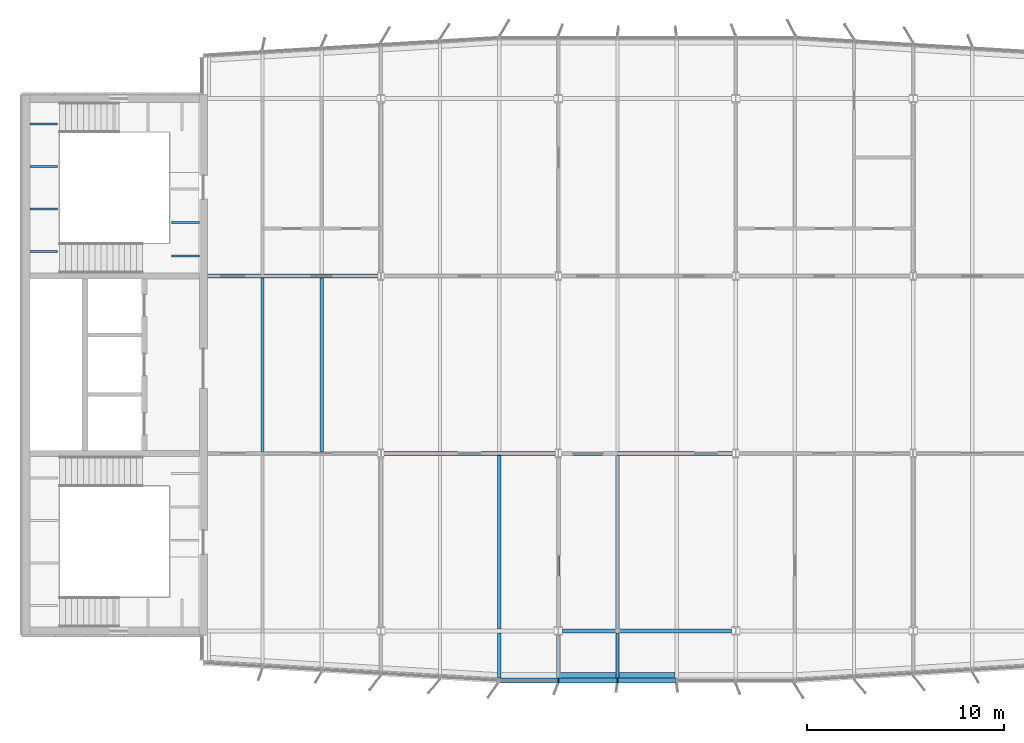
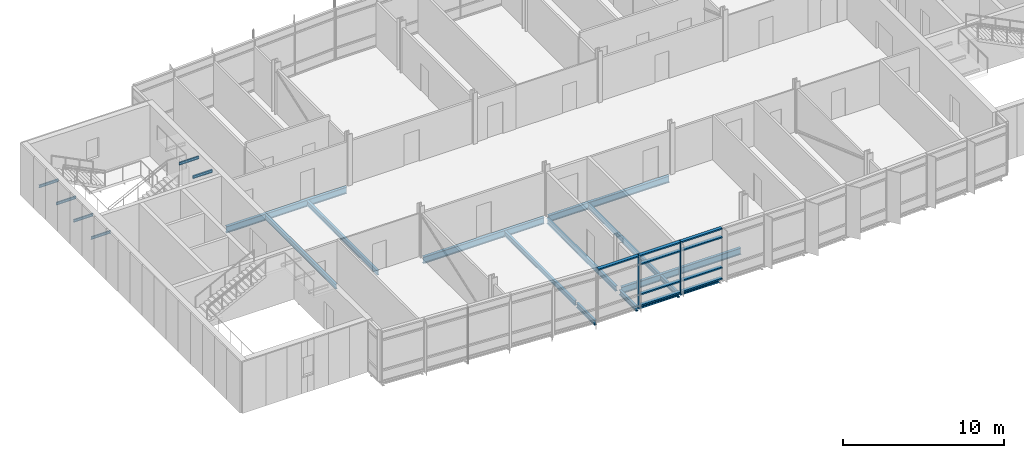
# One storey, part 3 of 18: 20 beams, 11 members, 1 element without a shape of its own.
"""IFC4 building model written with IfcOpenShell, lengths in metres."""

from ifc_helpers import new_model, si_unit, direction, frame, origin, origin_2d, place, context, subcontext, project, spatial, rectangle, i_section, extrude, material, material_profile, profile_set, type_object, element, aggregate, save


model = new_model("IFC4")

# Units and contexts
model_context = context("Model", 3, precision=1e-05, world=origin(), true_north=direction((0.0, 1.0)))
body_context = subcontext(model_context, "Body", "Model", "MODEL_VIEW")
ifc_project = project(units=[si_unit("LENGTHUNIT", "METRE"), si_unit("AREAUNIT", "SQUARE_METRE"), si_unit("VOLUMEUNIT", "CUBIC_METRE"), si_unit("PLANEANGLEUNIT", "RADIAN"), si_unit("MASSUNIT", "GRAM", prefix="KILO")], contexts=[model_context])

# Site, building, storey
site_placement = place(None, origin())
site = spatial("IfcSite", under=ifc_project, at=site_placement, CompositionType="ELEMENT")
building_placement = place(site_placement, origin())
building = spatial("IfcBuilding", under=site, at=building_placement, Name="Azimuth Sports and Learning Centre", CompositionType="ELEMENT")
storey_placement = place(building_placement, frame((0.0, 0.0, 63.60009765625)))
storey = spatial("IfcBuildingStorey", under=building, at=storey_placement, Name="L14", CompositionType="ELEMENT", Elevation=63.60009765625)

# Beams
ifc_material_1 = material(Name="Steel S355", Category="steel")
ifc_material_profile_1 = material_profile(ifc_material_1, i_section(OverallWidth=0.10009765625, OverallDepth=0.199951171875, WebThickness=0.005615234375, FlangeThickness=0.008544921875, FilletRadius=0.011962890625, at=origin_2d()), Name="IPE 200")
ifc_profile_set_1 = profile_set([ifc_material_profile_1], Name="Steel S355")
beam_type_1 = type_object("IfcBeamType", Name="Beam IPE 200", PredefinedType="BEAM", material=ifc_profile_set_1)
for number, where, z_axis, x_axis, name in (
    (1, (54.199951171875, 109.23876953125, 1.349853515625), (1.0, 0.0, 0.0), (0.0, 1.0, 0.0), "Landing bracket W2 L14 320"),
    (2, (54.199951171875, 111.396240234375, 1.349853515625), (1.0, 0.0, 0.0), (0.0, 1.0, 0.0), "Landing bracket W2 L14 321"),
    (3, (54.199951171875, 113.5537109375, 1.349853515625), (1.0, 0.0, 0.0), (0.0, 1.0, 0.0), "Landing bracket W2 L14 322"),
    (4, (54.199951171875, 115.711181640625, 1.349853515625), (1.0, 0.0, 0.0), (0.0, 1.0, 0.0), "Landing bracket W2 L14 323"),
    (5, (62.800048828125, 109.00830078125, 3.599853515625), (-1.0, 0.0, 0.0), (0.0, -1.0, 0.0), "Landing bracket W2 L14 324"),
    (6, (62.800048828125, 110.705078125, 3.599853515625), (-1.0, 0.0, 0.0), (0.0, -1.0, 0.0), "Landing bracket W2 L14 325"),
):
    element("IfcBeam", number, at=place(storey_placement, frame(where, z_axis=z_axis, x_axis=x_axis)), inside=storey, type_object=beam_type_1, Name=name, PredefinedType="BEAM", context=body_context, shape_type="SweptSolid", body=[
        extrude(i_section(OverallWidth=0.10009765625, OverallDepth=0.199951171875, WebThickness=0.005615234375, FlangeThickness=0.008544921875, FilletRadius=0.011962890625, at=origin_2d()), origin(), (0.0, 0.0, 1.0), 1.41015625),
    ])
ifc_material_2 = material(Name="Steel S355", Category="steel")
ifc_material_profile_2 = material_profile(ifc_material_2, i_section(OverallWidth=0.179931640625, OverallDepth=0.39990234375, WebThickness=0.008544921875, FlangeThickness=0.013427734375, FilletRadius=0.02099609375, at=origin_2d()), Name="IPE 400")
ifc_profile_set_2 = profile_set([ifc_material_profile_2], Name="Steel S355")
beam_type_2 = type_object("IfcBeamType", Name="Beam IPE 400", PredefinedType="BEAM", material=ifc_profile_set_2)
beam_1_placement = place(storey_placement, frame((81.0, 90.217529296875, -0.330078125), z_axis=(0.0, 1.0, 0.0), x_axis=(-1.0, 0.0, 0.0)))
element("IfcBeam", 7, at=beam_1_placement, inside=storey, type_object=beam_type_2, Name="Tower tie", PredefinedType="BEAM", context=body_context, shape_type="SweptSolid", body=[
    extrude(i_section(OverallWidth=0.179931640625, OverallDepth=0.39990234375, WebThickness=0.008544921875, FlangeThickness=0.013427734375, FilletRadius=0.02099609375, at=origin_2d()), origin(), (0.0, 0.0, 1.0), 8.56640625),
])
ifc_material_3 = material(Name="Steel S355", Category="steel")
ifc_material_profile_3 = material_profile(ifc_material_3, i_section(OverallWidth=0.199951171875, OverallDepth=0.5, WebThickness=0.01025390625, FlangeThickness=0.01611328125, FilletRadius=0.02099609375, at=origin_2d()), Name="IPE 500")
ifc_profile_set_3 = profile_set([ifc_material_profile_3], Name="Steel S355")
beam_type_3 = type_object("IfcBeamType", Name="Beam IPE 500", PredefinedType="BEAM", material=ifc_profile_set_3)
beam_2_placement = place(storey_placement, frame((81.2060546875, 90.0, -0.380126953125), z_axis=(1.0, 0.0, 0.0), x_axis=(0.0, 1.0, 0.0)))
element("IfcBeam", 8, at=beam_2_placement, inside=storey, type_object=beam_type_3, Name="Tower girder L14", PredefinedType="BEAM", context=body_context, shape_type="SweptSolid", body=[
    extrude(i_section(OverallWidth=0.199951171875, OverallDepth=0.5, WebThickness=0.01025390625, FlangeThickness=0.01611328125, FilletRadius=0.02099609375, at=origin_2d()), origin(), (0.0, 0.0, 1.0), 8.587890625),
])
for number, where, z_axis, x_axis, name in (
    (9, (72.153564453125, 99.0, -0.380126953125), (1.0, 0.0, 0.0), (0.0, 1.0, 0.0), "Tower girder L14"),
    (10, (81.153564453125, 99.0, -0.380126953125), (1.0, 0.0, 0.0), (0.0, 1.0, 0.0), "Tower girder L14"),
):
    element("IfcBeam", number, at=place(storey_placement, frame(where, z_axis=z_axis, x_axis=x_axis)), inside=storey, type_object=beam_type_3, Name=name, PredefinedType="BEAM", context=body_context, shape_type="SweptSolid", body=[
        extrude(i_section(OverallWidth=0.199951171875, OverallDepth=0.5, WebThickness=0.01025390625, FlangeThickness=0.01611328125, FilletRadius=0.02099609375, at=origin_2d()), origin(), (0.0, 0.0, 1.0), 8.69287109375),
    ])
beam_3_placement = place(storey_placement, frame((63.199951171875, 108.0, -0.380126953125), z_axis=(1.0, 0.0, 0.0), x_axis=(0.0, 1.0, 0.0)))
element("IfcBeam", 11, at=beam_3_placement, inside=storey, type_object=beam_type_3, Name="Tower girder L14", PredefinedType="BEAM", context=body_context, shape_type="SweptSolid", body=[
    extrude(i_section(OverallWidth=0.199951171875, OverallDepth=0.5, WebThickness=0.01025390625, FlangeThickness=0.01611328125, FilletRadius=0.02099609375, at=origin_2d()), origin(), (0.0, 0.0, 1.0), 8.646484375),
])
ifc_material_4 = material(Name="Steel S355", Category="steel")
ifc_material_profile_4 = material_profile(ifc_material_4, i_section(OverallWidth=0.169921875, OverallDepth=0.360107421875, WebThickness=0.008056640625, FlangeThickness=0.0126953125, FilletRadius=0.01806640625, at=origin_2d()), Name="IPE 360")
ifc_profile_set_4 = profile_set([ifc_material_profile_4], Name="Steel S355")
beam_type_4 = type_object("IfcBeamType", Name="Cantilever stub IPE 360", PredefinedType="JOIST", material=ifc_profile_set_4)
beam_4_placement = place(storey_placement, frame((78.0, 89.89990234375, -0.31005859375), z_axis=(0.0, -1.0, 0.0), x_axis=(1.0, 0.0, 0.0)))
element("IfcBeam", 12, at=beam_4_placement, inside=storey, type_object=beam_type_4, Name="Tower cantilever stub", PredefinedType="JOIST", context=body_context, shape_type="SweptSolid", body=[
    extrude(i_section(OverallWidth=0.169921875, OverallDepth=0.360107421875, WebThickness=0.008056640625, FlangeThickness=0.0126953125, FilletRadius=0.01806640625, at=origin_2d()), origin(), (0.0, 0.0, 1.0), 2.27978515625),
])
beam_5_placement = place(storey_placement, frame((81.0, 89.782470703125, -0.31005859375), z_axis=(0.0, -1.0, 0.0), x_axis=(1.0, 0.0, 0.0)))
element("IfcBeam", 13, at=beam_5_placement, inside=storey, type_object=beam_type_4, Name="Tower cantilever stub", PredefinedType="JOIST", context=body_context, shape_type="SweptSolid", body=[
    extrude(i_section(OverallWidth=0.169921875, OverallDepth=0.360107421875, WebThickness=0.008056640625, FlangeThickness=0.0126953125, FilletRadius=0.01806640625, at=origin_2d()), origin(), (0.0, 0.0, 1.0), 2.162353515625),
])
beam_6_placement = place(storey_placement, frame((84.0, 89.89990234375, -0.31005859375), z_axis=(0.0, -1.0, 0.0), x_axis=(1.0, 0.0, 0.0)))
element("IfcBeam", 14, at=beam_6_placement, inside=storey, type_object=beam_type_4, Name="Tower cantilever stub", PredefinedType="JOIST", context=body_context, shape_type="SweptSolid", body=[
    extrude(i_section(OverallWidth=0.169921875, OverallDepth=0.360107421875, WebThickness=0.008056640625, FlangeThickness=0.0126953125, FilletRadius=0.01806640625, at=origin_2d()), origin(), (0.0, 0.0, 1.0), 2.27978515625),
])
ifc_material_5 = material(Name="Steel S355", Category="steel")
ifc_material_profile_5 = material_profile(ifc_material_5, i_section(OverallWidth=0.260009765625, OverallDepth=0.25, WebThickness=0.007568359375, FlangeThickness=0.012451171875, FilletRadius=0.02392578125, at=origin_2d()), Name="HEA 260")
ifc_profile_set_5 = profile_set([ifc_material_profile_5], Name="Steel S355")
beam_type_5 = type_object("IfcBeamType", Name="Edge beam HEA 260", PredefinedType="SPANDREL", material=ifc_profile_set_5)
for number, where, z_axis, x_axis, name in (
    (15, (81.0849609375, 87.75, -0.255126953125), (1.0, 0.0, 0.0), (0.0, 1.0, 0.0), "Tower edge beam"),
    (16, (84.0849609375, 87.75, -0.255126953125), (1.0, 0.0, 0.0), (0.0, 1.0, 0.0), "Tower edge beam"),
):
    element("IfcBeam", number, at=place(storey_placement, frame(where, z_axis=z_axis, x_axis=x_axis)), inside=storey, type_object=beam_type_5, Name=name, PredefinedType="SPANDREL", context=body_context, shape_type="SweptSolid", body=[
        extrude(i_section(OverallWidth=0.260009765625, OverallDepth=0.25, WebThickness=0.007568359375, FlangeThickness=0.012451171875, FilletRadius=0.02392578125, at=origin_2d()), origin(), (0.0, 0.0, 1.0), 2.830078125),
    ])
ifc_material_6 = material(Name="Steel S355", Category="steel")
ifc_material_profile_6 = material_profile(ifc_material_6, i_section(OverallWidth=0.169921875, OverallDepth=0.360107421875, WebThickness=0.008056640625, FlangeThickness=0.0126953125, FilletRadius=0.01806640625, at=origin_2d()), Name="IPE 360")
ifc_profile_set_6 = profile_set([ifc_material_profile_6], Name="Steel S355")
beam_type_6 = type_object("IfcBeamType", Name="Joist IPE 360", PredefinedType="JOIST", material=ifc_profile_set_6)
for number, where, z_axis, x_axis, name in (
    (17, (66.0, 99.10009765625, -0.31005859375), (0.0, 1.0, 0.0), (-1.0, 0.0, 0.0), "Tower joist"),
    (18, (69.0, 99.10009765625, -0.31005859375), (0.0, 1.0, 0.0), (-1.0, 0.0, 0.0), "Tower joist"),
    (19, (78.0, 90.10009765625, -0.31005859375), (0.0, 1.0, 0.0), (-1.0, 0.0, 0.0), "Tower joist"),
    (20, (84.0, 90.10009765625, -0.31005859375), (0.0, 1.0, 0.0), (-1.0, 0.0, 0.0), "Tower joist"),
):
    element("IfcBeam", number, at=place(storey_placement, frame(where, z_axis=z_axis, x_axis=x_axis)), inside=storey, type_object=beam_type_6, Name=name, PredefinedType="JOIST", context=body_context, shape_type="SweptSolid", body=[
        extrude(i_section(OverallWidth=0.169921875, OverallDepth=0.360107421875, WebThickness=0.008056640625, FlangeThickness=0.0126953125, FilletRadius=0.01806640625, at=origin_2d()), origin(), (0.0, 0.0, 1.0), 8.7998046875),
    ])

# Curtain wall, members
ifc_material_7 = material(Name="Aluminium and glass", Category="aluminium")
curtain_wall_type = type_object("IfcCurtainWallType", Name="Curtain wall tower south 240", PredefinedType="NOTDEFINED", material=ifc_material_7)
curtain_wall_placement = place(storey_placement, origin())
curtain_wall = element("IfcCurtainWall", 21, at=curtain_wall_placement, inside=storey, type_object=curtain_wall_type, Name="Curtain wall CW14-003", PredefinedType="NOTDEFINED")
ifc_material_8 = material(Name="Aluminium", Category="aluminium")
ifc_material_profile_7 = material_profile(ifc_material_8, rectangle(XDim=0.239990234375, YDim=0.070068359375, at=origin_2d()), Name="Mullion 70x240")
ifc_profile_set_7 = profile_set([ifc_material_profile_7], Name="Aluminium")
member_type_1 = type_object("IfcMemberType", Name="Mullion 70x240", PredefinedType="MULLION", material=ifc_profile_set_7)
member_1_placement = place(storey_placement, frame((81.0, 87.47998046875, 0.0), z_axis=(0.0, 0.0, 1.0), x_axis=(0.0, 1.0, 0.0)))
member_1 = element("IfcMember", 22, at=member_1_placement, type_object=member_type_1, Name="CW14-003 mullion 2", PredefinedType="MULLION", context=body_context, shape_type="SweptSolid", body=[
    extrude(rectangle(XDim=0.239990234375, YDim=0.070068359375, at=origin_2d()), origin(), (0.0, 0.0, 1.0), 3.89990234375),
])
member_2_placement = place(storey_placement, frame((84.0, 87.47998046875, 0.0), z_axis=(0.0, 0.0, 1.0), x_axis=(0.0, 1.0, 0.0)))
member_2 = element("IfcMember", 23, at=member_2_placement, type_object=member_type_1, Name="CW14-003 mullion 3", PredefinedType="MULLION", context=body_context, shape_type="SweptSolid", body=[
    extrude(rectangle(XDim=0.239990234375, YDim=0.070068359375, at=origin_2d()), origin(), (0.0, 0.0, 1.0), 3.89990234375),
])
ifc_material_9 = material(Name="Aluminium", Category="aluminium")
ifc_material_profile_8 = material_profile(ifc_material_9, rectangle(XDim=0.239990234375, YDim=0.10009765625, at=origin_2d()), Name="Transom 100x240")
ifc_profile_set_8 = profile_set([ifc_material_profile_8], Name="Aluminium")
member_type_2 = type_object("IfcMemberType", Name="Transom 100x240", PredefinedType="USERDEFINED", material=ifc_profile_set_8)
member_3_placement = place(storey_placement, frame((78.062744140625, 87.47998046875, 3.849853515625), z_axis=(1.0, 0.0, 0.0), x_axis=(0.0, 1.0, 0.0)))
member_3 = element("IfcMember", 24, at=member_3_placement, type_object=member_type_2, Name="CW14-003 transom 1.4", ObjectType="TRANSOM", PredefinedType="USERDEFINED", context=body_context, shape_type="SweptSolid", body=[
    extrude(rectangle(XDim=0.239990234375, YDim=0.10009765625, at=origin_2d()), origin(), (0.0, 0.0, 1.0), 2.90234375),
])
member_4_placement = place(storey_placement, frame((81.034912109375, 87.47998046875, 0.0498046875), z_axis=(1.0, 0.0, 0.0), x_axis=(0.0, 1.0, 0.0)))
member_4 = element("IfcMember", 25, at=member_4_placement, type_object=member_type_2, Name="CW14-003 transom 2.1", ObjectType="TRANSOM", PredefinedType="USERDEFINED", context=body_context, shape_type="SweptSolid", body=[
    extrude(rectangle(XDim=0.239990234375, YDim=0.10009765625, at=origin_2d()), origin(), (0.0, 0.0, 1.0), 2.93017578125),
])
member_5_placement = place(storey_placement, frame((81.034912109375, 87.47998046875, 0.89990234375), z_axis=(1.0, 0.0, 0.0), x_axis=(0.0, 1.0, 0.0)))
member_5 = element("IfcMember", 26, at=member_5_placement, type_object=member_type_2, Name="CW14-003 transom 2.2", ObjectType="TRANSOM", PredefinedType="USERDEFINED", context=body_context, shape_type="SweptSolid", body=[
    extrude(rectangle(XDim=0.239990234375, YDim=0.10009765625, at=origin_2d()), origin(), (0.0, 0.0, 1.0), 2.93017578125),
])
member_6_placement = place(storey_placement, frame((81.034912109375, 87.47998046875, 3.199951171875), z_axis=(1.0, 0.0, 0.0), x_axis=(0.0, 1.0, 0.0)))
member_6 = element("IfcMember", 27, at=member_6_placement, type_object=member_type_2, Name="CW14-003 transom 2.3", ObjectType="TRANSOM", PredefinedType="USERDEFINED", context=body_context, shape_type="SweptSolid", body=[
    extrude(rectangle(XDim=0.239990234375, YDim=0.10009765625, at=origin_2d()), origin(), (0.0, 0.0, 1.0), 2.93017578125),
])
member_7_placement = place(storey_placement, frame((81.034912109375, 87.47998046875, 3.849853515625), z_axis=(1.0, 0.0, 0.0), x_axis=(0.0, 1.0, 0.0)))
member_7 = element("IfcMember", 28, at=member_7_placement, type_object=member_type_2, Name="CW14-003 transom 2.4", ObjectType="TRANSOM", PredefinedType="USERDEFINED", context=body_context, shape_type="SweptSolid", body=[
    extrude(rectangle(XDim=0.239990234375, YDim=0.10009765625, at=origin_2d()), origin(), (0.0, 0.0, 1.0), 2.93017578125),
])
member_8_placement = place(storey_placement, frame((84.034912109375, 87.47998046875, 0.0498046875), z_axis=(1.0, 0.0, 0.0), x_axis=(0.0, 1.0, 0.0)))
member_8 = element("IfcMember", 29, at=member_8_placement, type_object=member_type_2, Name="CW14-003 transom 3.1", ObjectType="TRANSOM", PredefinedType="USERDEFINED", context=body_context, shape_type="SweptSolid", body=[
    extrude(rectangle(XDim=0.239990234375, YDim=0.10009765625, at=origin_2d()), origin(), (0.0, 0.0, 1.0), 2.93017578125),
])
member_9_placement = place(storey_placement, frame((84.034912109375, 87.47998046875, 0.89990234375), z_axis=(1.0, 0.0, 0.0), x_axis=(0.0, 1.0, 0.0)))
member_9 = element("IfcMember", 30, at=member_9_placement, type_object=member_type_2, Name="CW14-003 transom 3.2", ObjectType="TRANSOM", PredefinedType="USERDEFINED", context=body_context, shape_type="SweptSolid", body=[
    extrude(rectangle(XDim=0.239990234375, YDim=0.10009765625, at=origin_2d()), origin(), (0.0, 0.0, 1.0), 2.93017578125),
])
member_10_placement = place(storey_placement, frame((84.034912109375, 87.47998046875, 3.199951171875), z_axis=(1.0, 0.0, 0.0), x_axis=(0.0, 1.0, 0.0)))
member_10 = element("IfcMember", 31, at=member_10_placement, type_object=member_type_2, Name="CW14-003 transom 3.3", ObjectType="TRANSOM", PredefinedType="USERDEFINED", context=body_context, shape_type="SweptSolid", body=[
    extrude(rectangle(XDim=0.239990234375, YDim=0.10009765625, at=origin_2d()), origin(), (0.0, 0.0, 1.0), 2.93017578125),
])
member_11_placement = place(storey_placement, frame((84.034912109375, 87.47998046875, 3.849853515625), z_axis=(1.0, 0.0, 0.0), x_axis=(0.0, 1.0, 0.0)))
member_11 = element("IfcMember", 32, at=member_11_placement, type_object=member_type_2, Name="CW14-003 transom 3.4", ObjectType="TRANSOM", PredefinedType="USERDEFINED", context=body_context, shape_type="SweptSolid", body=[
    extrude(rectangle(XDim=0.239990234375, YDim=0.10009765625, at=origin_2d()), origin(), (0.0, 0.0, 1.0), 2.93017578125),
])
aggregate(curtain_wall, [member_1, member_2, member_3, member_4, member_5, member_6, member_7, member_8, member_9, member_10, member_11])

save(model, "model.ifc")
